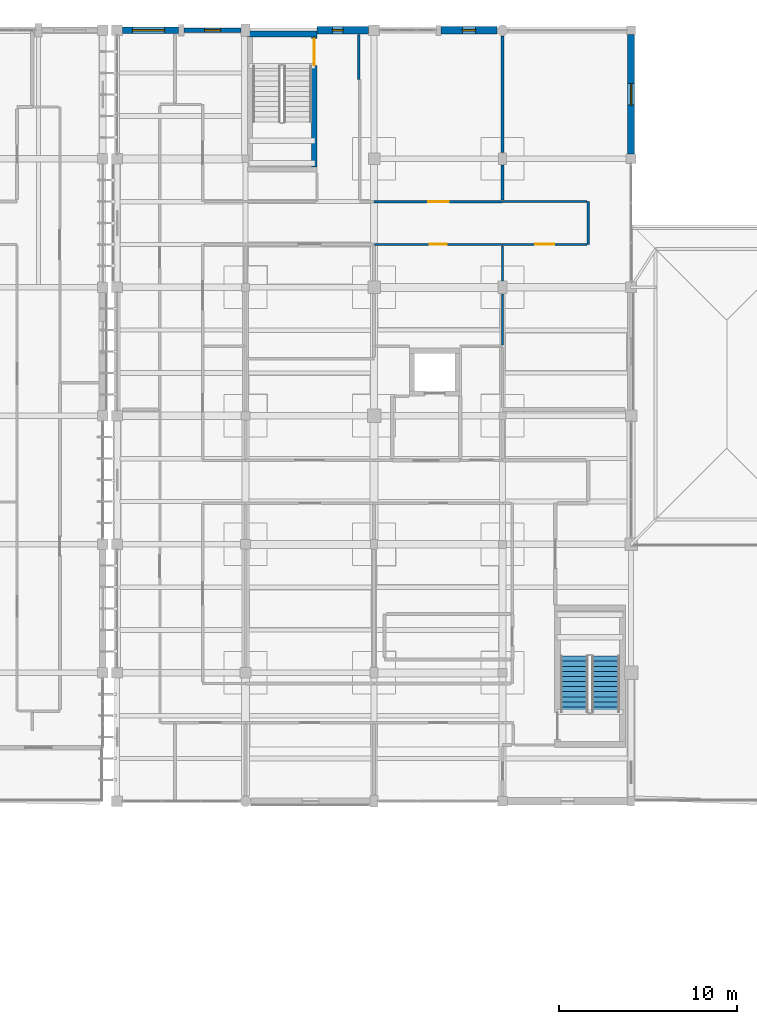
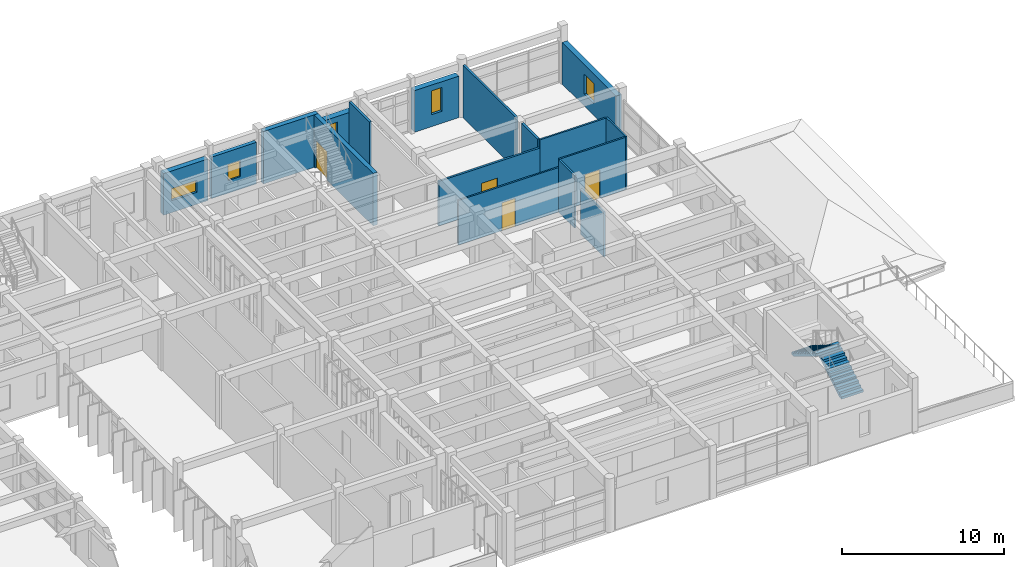
# One storey, part 43 of 55: 17 walls, 5 windows, 4 doors, 2 stair flights, 9 openings, 1 element without a shape of its own.
"""IFC4 building model written with IfcOpenShell, lengths in metres."""

from ifc_helpers import new_model, si_unit, direction, frame, frame_2d, origin, place, context, subcontext, project, spatial, polyline, rectangle, outline, extrude, material, layer, layer_set, type_object, element, fill, aggregate, save


model = new_model("IFC4")

# Units and contexts
model_context = context("Model", 3, precision=1e-05, world=origin(), true_north=direction((0.0, 1.0)))
body_context = subcontext(model_context, "Body", "Model", "MODEL_VIEW")
ifc_project = project(units=[si_unit("LENGTHUNIT", "METRE"), si_unit("AREAUNIT", "SQUARE_METRE"), si_unit("VOLUMEUNIT", "CUBIC_METRE"), si_unit("PLANEANGLEUNIT", "RADIAN"), si_unit("MASSUNIT", "GRAM", prefix="KILO")], contexts=[model_context])

# Site, building, storey
site_placement = place(None, origin())
site = spatial("IfcSite", under=ifc_project, at=site_placement, CompositionType="ELEMENT")
building_placement = place(site_placement, origin())
building = spatial("IfcBuilding", under=site, at=building_placement, Name="Steenspoor Specialist Clinic", CompositionType="ELEMENT")
storey_placement = place(building_placement, frame((0.0, 0.0, 13.199951171875)))
storey = spatial("IfcBuildingStorey", under=building, at=storey_placement, Name="L03", CompositionType="ELEMENT", Elevation=13.199951171875)

# Wall, opening, window
ifc_material_1 = material(Name="Extruded clay brick masonry", Category="masonry")
ifc_layer_1 = layer(ifc_material_1, 0.3798828125)
ifc_layer_set_1 = layer_set([ifc_layer_1], Name="Extruded clay brick masonry")
wall_type_1 = type_object("IfcWallType", Name="W-BRICK-380", PredefinedType="USERDEFINED", material=ifc_layer_set_1)
wall_1_placement = place(storey_placement, frame((118.300048828125, 108.35009765625, 0.0), z_axis=(0.0, 0.0, 1.0), x_axis=(1.0, 0.0, 0.0)))
wall_1 = element("IfcWall", 1, at=wall_1_placement, inside=storey, type_object=wall_type_1, Name="Exterior Brick Wall EW-V6-L03-0343", ObjectType="CAVITY VENEER", PredefinedType="USERDEFINED", context=body_context, shape_type="SweptSolid", body=[
    extrude(rectangle(XDim=3.14990234375, YDim=0.3798828125, at=frame_2d((1.574951171875, 0.0))), origin(), (0.0, 0.0, 1.0), 3.130126953125),
])
opening_1_placement = place(wall_1_placement, frame((0.56494140625, 0.0, 0.89990234375)))
opening_1 = element("IfcOpeningElement", 2, at=opening_1_placement, cuts=wall_1, Name="Opening WN-22", PredefinedType="OPENING", context=body_context, shape_type="SweptSolid", body=[
    extrude(rectangle(XDim=1.800048828125, YDim=0.89990234375, at=frame_2d((0.89990234375, 0.449951171875))), frame((0.0, 0.199951171875, 0.0), z_axis=(0.0, -1.0, 0.0), x_axis=(1.0, 0.0, 0.0)), (0.0, 0.0, 1.0), 0.39990234375),
])
ifc_material_2 = material(Name="Thermally broken aluminium and low-emissivity glass", Category="aluminium")
window_type_1 = type_object("IfcWindowType", Name="WN-EXT-180X090", PartitioningType="SINGLE_PANEL", PredefinedType="WINDOW", material=ifc_material_2)
window_1_placement = place(opening_1_placement, origin())
window_1 = element("IfcWindow", 3, at=window_1_placement, inside=storey, type_object=window_type_1, Name="Window 0364", OverallHeight=0.89990234375, OverallWidth=1.800048828125, PartitioningType="SINGLE_PANEL", PredefinedType="WINDOW", context=body_context, shape_type="SweptSolid", body=[
    extrude(rectangle(XDim=1.800048828125, YDim=0.89990234375, at=frame_2d((0.89990234375, 0.449951171875))), frame((0.0, 0.030029296875, 0.0), z_axis=(0.0, -1.0, 0.0), x_axis=(1.0, 0.0, 0.0)), (0.0, 0.0, 1.0), 0.06005859375),
])
fill(opening_1, window_1)

wall_2_placement = place(storey_placement, frame((146.800048828125, 108.10009765625, 0.0), z_axis=(0.0, 0.0, 1.0), x_axis=(0.0, -1.0, 0.0)))
wall_2 = element("IfcWall", 4, at=wall_2_placement, inside=storey, type_object=wall_type_1, Name="Exterior Brick Wall EW-V6-L03-0347", ObjectType="CAVITY VENEER", PredefinedType="USERDEFINED", context=body_context, shape_type="SweptSolid", body=[
    extrude(rectangle(XDim=6.675048828125, YDim=0.3798828125, at=frame_2d((3.33740234375, 0.0))), origin(), (0.0, 0.0, 1.0), 3.130126953125),
])
opening_2_placement = place(wall_2_placement, frame((2.737548828125, 0.0, 0.89990234375)))
opening_2 = element("IfcOpeningElement", 5, at=opening_2_placement, cuts=wall_2, Name="Opening WN-11", PredefinedType="OPENING", context=body_context, shape_type="SweptSolid", body=[
    extrude(rectangle(XDim=1.199951171875, YDim=1.5, at=frame_2d((0.60009765625, 0.75))), frame((0.0, 0.199951171875, 0.0), z_axis=(0.0, -1.0, 0.0), x_axis=(1.0, 0.0, 0.0)), (0.0, 0.0, 1.0), 0.39990234375),
])
window_type_2 = type_object("IfcWindowType", Name="WN-EXT-120X150", PartitioningType="SINGLE_PANEL", PredefinedType="WINDOW", material=ifc_material_2)
window_2_placement = place(opening_2_placement, origin())
window_2 = element("IfcWindow", 6, at=window_2_placement, inside=storey, type_object=window_type_2, Name="Window 0368", OverallHeight=1.5, OverallWidth=1.199951171875, PartitioningType="SINGLE_PANEL", PredefinedType="WINDOW", context=body_context, shape_type="SweptSolid", body=[
    extrude(rectangle(XDim=1.199951171875, YDim=1.5, at=frame_2d((0.60009765625, 0.75))), frame((0.0, 0.030029296875, 0.0), z_axis=(0.0, -1.0, 0.0), x_axis=(1.0, 0.0, 0.0)), (0.0, 0.0, 1.0), 0.06005859375),
])
fill(opening_2, window_2)

ifc_layer_2 = layer(ifc_material_1, 0.409912109375)
ifc_layer_set_2 = layer_set([ifc_layer_2], Name="Extruded clay brick masonry")
wall_type_2 = type_object("IfcWallType", Name="W-BRICK-410", PredefinedType="USERDEFINED", material=ifc_layer_set_2)
wall_3_placement = place(storey_placement, frame((136.139892578125, 108.35009765625, 0.0), z_axis=(0.0, 0.0, 1.0), x_axis=(1.0, 0.0, 0.0)))
wall_3 = element("IfcWall", 7, at=wall_3_placement, inside=storey, type_object=wall_type_2, Name="Exterior Brick Wall EW-V6-L03-0346", ObjectType="CAVITY VENEER", PredefinedType="USERDEFINED", context=body_context, shape_type="SweptSolid", body=[
    extrude(rectangle(XDim=3.16015625, YDim=0.409912109375, at=frame_2d((1.580078125, 0.0))), origin(), (0.0, 0.0, 1.0), 3.130126953125),
])
opening_3_placement = place(wall_3_placement, frame((1.205078125, 0.0, 0.89990234375)))
opening_3 = element("IfcOpeningElement", 8, at=opening_3_placement, cuts=wall_3, Name="Opening WN-02", PredefinedType="OPENING", context=body_context, shape_type="SweptSolid", body=[
    extrude(rectangle(XDim=0.75, YDim=1.800048828125, at=frame_2d((0.375, 0.89990234375))), frame((0.0, 0.21484375, 0.0), z_axis=(0.0, -1.0, 0.0), x_axis=(1.0, 0.0, 0.0)), (0.0, 0.0, 1.0), 0.429931640625),
])
window_type_3 = type_object("IfcWindowType", Name="WN-EXT-075X180", PartitioningType="SINGLE_PANEL", PredefinedType="WINDOW", material=ifc_material_2)
window_3_placement = place(opening_3_placement, origin())
window_3 = element("IfcWindow", 9, at=window_3_placement, inside=storey, type_object=window_type_3, Name="Window 0367", OverallHeight=1.800048828125, OverallWidth=0.75, PartitioningType="SINGLE_PANEL", PredefinedType="WINDOW", context=body_context, shape_type="SweptSolid", body=[
    extrude(rectangle(XDim=0.75, YDim=1.800048828125, at=frame_2d((0.375, 0.89990234375))), frame((0.0, 0.030029296875, 0.0), z_axis=(0.0, -1.0, 0.0), x_axis=(1.0, 0.0, 0.0)), (0.0, 0.0, 1.0), 0.06005859375),
])
fill(opening_3, window_3)

ifc_layer_3 = layer(ifc_material_1, 0.43994140625)
ifc_layer_set_3 = layer_set([ifc_layer_3], Name="Extruded clay brick masonry")
wall_type_3 = type_object("IfcWallType", Name="W-BRICK-440", PredefinedType="USERDEFINED", material=ifc_layer_set_3)
wall_4_placement = place(storey_placement, frame((129.199951171875, 108.35009765625, 0.0), z_axis=(0.0, 0.0, 1.0), x_axis=(1.0, 0.0, 0.0)))
wall_4 = element("IfcWall", 10, at=wall_4_placement, inside=storey, type_object=wall_type_3, Name="Exterior Brick Wall EW-V6-L03-0345", ObjectType="CAVITY VENEER", PredefinedType="USERDEFINED", context=body_context, shape_type="SweptSolid", body=[
    extrude(rectangle(XDim=2.900146484375, YDim=0.43994140625, at=frame_2d((1.4501953125, 0.0))), origin(), (0.0, 0.0, 1.0), 3.130126953125),
])
opening_4_placement = place(wall_4_placement, frame((0.864990234375, 0.0, 0.89990234375)))
opening_4 = element("IfcOpeningElement", 11, at=opening_4_placement, cuts=wall_4, Name="Opening WN-01", PredefinedType="OPENING", context=body_context, shape_type="SweptSolid", body=[
    extrude(rectangle(XDim=0.60009765625, YDim=1.800048828125, at=frame_2d((0.300048828125, 0.89990234375))), frame((0.0, 0.22998046875, 0.0), z_axis=(0.0, -1.0, 0.0), x_axis=(1.0, 0.0, 0.0)), (0.0, 0.0, 1.0), 0.4599609375),
])
window_type_4 = type_object("IfcWindowType", Name="WN-EXT-060X180", PartitioningType="SINGLE_PANEL", PredefinedType="WINDOW", material=ifc_material_2)
window_4_placement = place(opening_4_placement, origin())
window_4 = element("IfcWindow", 12, at=window_4_placement, inside=storey, type_object=window_type_4, Name="Window 0366", OverallHeight=1.800048828125, OverallWidth=0.60009765625, PartitioningType="SINGLE_PANEL", PredefinedType="WINDOW", context=body_context, shape_type="SweptSolid", body=[
    extrude(rectangle(XDim=0.60009765625, YDim=1.800048828125, at=frame_2d((0.300048828125, 0.89990234375))), frame((0.0, 0.030029296875, 0.0), z_axis=(0.0, -1.0, 0.0), x_axis=(1.0, 0.0, 0.0)), (0.0, 0.0, 1.0), 0.06005859375),
])
fill(opening_4, window_4)

# Wall
ifc_material_3 = material(Name="Gypsum acoustic clinical partition", Category="gypsum")
ifc_layer_4 = layer(ifc_material_3, 0.14990234375)
ifc_layer_set_4 = layer_set([ifc_layer_4], Name="Gypsum acoustic clinical partition")
wall_type_4 = type_object("IfcWallType", Name="W-CLIN-150", PredefinedType="PARTITIONING", material=ifc_layer_set_4)
wall_5_placement = place(storey_placement, frame((131.550048828125, 105.60009765625, 0.0), z_axis=(0.0, 0.0, 1.0), x_axis=(0.0, 1.0, 0.0)))
element("IfcWall", 13, at=wall_5_placement, inside=storey, type_object=wall_type_4, Name="Interior Partition IW-V6-L03-1629", PredefinedType="PARTITIONING", context=body_context, shape_type="SweptSolid", body=[
    extrude(rectangle(XDim=2.514892578125, YDim=0.14990234375, at=frame_2d((1.25732421875, 0.0))), origin(), (0.0, 0.0, 1.0), 3.949951171875),
])

# Wall, opening, door
wall_6_placement = place(storey_placement, frame((132.39990234375, 98.75, 0.0), z_axis=(0.0, 0.0, 1.0), x_axis=(1.0, 0.0, 0.0)))
wall_6 = element("IfcWall", 14, at=wall_6_placement, inside=storey, type_object=wall_type_4, Name="Interior Partition IW-V6-L03-1630", PredefinedType="PARTITIONING", context=body_context, shape_type="SweptSolid", body=[
    extrude(rectangle(XDim=7.2001953125, YDim=0.14990234375, at=frame_2d((3.60009765625, 0.0))), origin(), (0.0, 0.0, 1.0), 3.35498046875),
])
opening_5_placement = place(wall_6_placement, frame((3.02490234375, 0.0, 0.0)))
opening_5 = element("IfcOpeningElement", 15, at=opening_5_placement, cuts=wall_6, Name="Opening D0501", PredefinedType="OPENING", context=body_context, shape_type="SweptSolid", body=[
    extrude(rectangle(XDim=1.14990234375, YDim=2.14990234375, at=frame_2d((0.574951171875, 1.074951171875))), frame((0.0, 0.0849609375, 0.0), z_axis=(0.0, -1.0, 0.0), x_axis=(1.0, 0.0, 0.0)), (0.0, 0.0, 1.0), 0.169921875),
])
ifc_material_4 = material(Name="Solid-core hardwood clinical door", Category="wood")
door_type_1 = type_object("IfcDoorType", Name="DT-CONS-115X215", OperationType="NOTDEFINED", PredefinedType="DOOR", material=ifc_material_4)
door_1_placement = place(opening_5_placement, origin())
door_1 = element("IfcDoor", 16, at=door_1_placement, inside=storey, type_object=door_type_1, Name="Clinical Door D0501", OperationType="SINGLE_SWING_RIGHT", OverallHeight=2.14990234375, OverallWidth=1.14990234375, PredefinedType="DOOR", context=body_context, shape_type="SweptSolid", body=[
    extrude(rectangle(XDim=1.14990234375, YDim=2.14990234375, at=frame_2d((0.574951171875, 1.074951171875))), frame((0.0, 0.02490234375, 0.0), z_axis=(0.0, -1.0, 0.0), x_axis=(1.0, 0.0, 0.0)), (0.0, 0.0, 1.0), 0.050048828125),
])
fill(opening_5, door_1)

# Walls
wall_7_placement = place(storey_placement, frame((139.60009765625, 98.840087890625, 0.0), z_axis=(0.0, 0.0, 1.0), x_axis=(0.0, 1.0, 0.0)))
element("IfcWall", 17, at=wall_7_placement, inside=storey, type_object=wall_type_4, Name="Interior Partition IW-V6-L03-1771", PredefinedType="PARTITIONING", context=body_context, shape_type="SweptSolid", body=[
    extrude(rectangle(XDim=1.969970703125, YDim=0.14990234375, at=frame_2d((0.98486328125, 0.0))), origin(), (0.0, 0.0, 1.0), 3.949951171875),
])
wall_8_placement = place(storey_placement, frame((139.60009765625, 101.489990234375, 0.0), z_axis=(0.0, 0.0, 1.0), x_axis=(0.0, 1.0, 0.0)))
element("IfcWall", 18, at=wall_8_placement, inside=storey, type_object=wall_type_4, Name="Interior Partition IW-V6-L03-1772", PredefinedType="PARTITIONING", context=body_context, shape_type="SweptSolid", body=[
    extrude(rectangle(XDim=6.544921875, YDim=0.14990234375, at=frame_2d((3.2724609375, 0.0))), origin(), (0.0, 0.0, 1.0), 3.949951171875),
])
ifc_material_5 = material(Name="Concrete C40/50", Category="concrete")
ifc_layer_5 = layer(ifc_material_5, 0.330078125)
ifc_layer_set_5 = layer_set([ifc_layer_5], Name="Concrete C40/50")
wall_type_5 = type_object("IfcWallType", Name="W-ESW-330", PredefinedType="SHEAR", material=ifc_layer_set_5)
wall_9_placement = place(storey_placement, frame((125.300048828125, 108.14990234375, 0.0), z_axis=(0.0, 0.0, 1.0), x_axis=(1.0, 0.0, 0.0)))
element("IfcWall", 19, at=wall_9_placement, inside=storey, type_object=wall_type_5, Name="Core Shear Wall SW-ST-V6A-L03-N", PredefinedType="SHEAR", context=body_context, shape_type="SweptSolid", body=[
    extrude(rectangle(XDim=3.89990234375, YDim=0.330078125, at=frame_2d((1.949951171875, 0.0))), origin(), (0.0, 0.0, 1.0), 3.949951171875),
])
ifc_material_6 = material(Name="Gypsum studio partition board", Category="gypsum")
ifc_layer_6 = layer(ifc_material_6, 0.1201171875)
ifc_layer_set_6 = layer_set([ifc_layer_6], Name="Gypsum studio partition board")
wall_type_6 = type_object("IfcWallType", Name="W-PART-120", PredefinedType="PARTITIONING", material=ifc_layer_set_6)
wall_10_placement = place(storey_placement, frame((144.39990234375, 96.35009765625, 0.0), z_axis=(0.0, 0.0, 1.0), x_axis=(0.0, 1.0, 0.0)))
element("IfcWall", 20, at=wall_10_placement, inside=storey, type_object=wall_type_6, Name="Interior Partition IW-V6-L03-1690", PredefinedType="PARTITIONING", context=body_context, shape_type="SweptSolid", body=[
    extrude(rectangle(XDim=2.39990234375, YDim=0.1201171875, at=frame_2d((1.199951171875, 0.0))), origin(), (0.0, 0.0, 1.0), 3.949951171875),
])
wall_11_placement = place(storey_placement, frame((139.614990234375, 98.75, 0.0), z_axis=(0.0, 0.0, 1.0), x_axis=(1.0, 0.0, 0.0)))
element("IfcWall", 21, at=wall_11_placement, inside=storey, type_object=wall_type_6, Name="Interior Partition IW-V6-L03-1691", PredefinedType="PARTITIONING", context=body_context, shape_type="SweptSolid", body=[
    extrude(rectangle(XDim=4.7099609375, YDim=0.1201171875, at=frame_2d((2.35498046875, 0.0))), origin(), (0.0, 0.0, 1.0), 3.949951171875),
])

# Wall, opening, door
wall_12_placement = place(storey_placement, frame((139.60009765625, 96.35009765625, 0.0), z_axis=(0.0, 0.0, 1.0), x_axis=(1.0, 0.0, 0.0)))
wall_12 = element("IfcWall", 22, at=wall_12_placement, inside=storey, type_object=wall_type_6, Name="Interior Partition IW-V6-L03-1692", PredefinedType="PARTITIONING", context=body_context, shape_type="SweptSolid", body=[
    extrude(rectangle(XDim=4.724853515625, YDim=0.1201171875, at=frame_2d((2.3623046875, 0.0))), origin(), (0.0, 0.0, 1.0), 3.949951171875),
])
opening_6_placement = place(wall_12_placement, frame((1.83740234375, 0.0, 0.0)))
opening_6 = element("IfcOpeningElement", 23, at=opening_6_placement, cuts=wall_12, Name="Opening D0496", PredefinedType="OPENING", context=body_context, shape_type="SweptSolid", body=[
    extrude(rectangle(XDim=1.050048828125, YDim=2.14990234375, at=frame_2d((0.52490234375, 1.074951171875))), frame((0.0, 0.070068359375, 0.0), z_axis=(0.0, -1.0, 0.0), x_axis=(1.0, 0.0, 0.0)), (0.0, 0.0, 1.0), 0.14013671875),
])
ifc_material_7 = material(Name="Solid-core hardwood office door", Category="wood")
door_type_2 = type_object("IfcDoorType", Name="DT-OFF-105X215", OperationType="NOTDEFINED", PredefinedType="DOOR", material=ifc_material_7)
door_2_placement = place(opening_6_placement, origin())
door_2 = element("IfcDoor", 24, at=door_2_placement, inside=storey, type_object=door_type_2, Name="Clinical Door D0496", OperationType="SINGLE_SWING_LEFT", OverallHeight=2.14990234375, OverallWidth=1.050048828125, PredefinedType="DOOR", context=body_context, shape_type="SweptSolid", body=[
    extrude(rectangle(XDim=1.050048828125, YDim=2.14990234375, at=frame_2d((0.52490234375, 1.074951171875))), frame((0.0, 0.02490234375, 0.0), z_axis=(0.0, -1.0, 0.0), x_axis=(1.0, 0.0, 0.0)), (0.0, 0.0, 1.0), 0.050048828125),
])
fill(opening_6, door_2)

wall_13_placement = place(storey_placement, frame((132.4150390625, 96.35009765625, 0.0), z_axis=(0.0, 0.0, 1.0), x_axis=(1.0, 0.0, 0.0)))
wall_13 = element("IfcWall", 25, at=wall_13_placement, inside=storey, type_object=wall_type_6, Name="Interior Partition IW-V6-L03-1693", PredefinedType="PARTITIONING", context=body_context, shape_type="SweptSolid", body=[
    extrude(rectangle(XDim=7.169921875, YDim=0.1201171875, at=frame_2d((3.5849609375, 0.0))), origin(), (0.0, 0.0, 1.0), 3.35498046875),
])
opening_7_placement = place(wall_13_placement, frame((3.110107421875, 0.0, 0.0)))
opening_7 = element("IfcOpeningElement", 26, at=opening_7_placement, cuts=wall_13, Name="Opening D0498", PredefinedType="OPENING", context=body_context, shape_type="SweptSolid", body=[
    extrude(rectangle(XDim=0.949951171875, YDim=2.10009765625, at=frame_2d((0.47509765625, 1.050048828125))), frame((0.0, 0.070068359375, 0.0), z_axis=(0.0, -1.0, 0.0), x_axis=(1.0, 0.0, 0.0)), (0.0, 0.0, 1.0), 0.14013671875),
])
ifc_material_8 = material(Name="Moisture-resistant HPL sanitary door", Category="wood")
door_type_3 = type_object("IfcDoorType", Name="DT-WC-095X210", OperationType="NOTDEFINED", PredefinedType="DOOR", material=ifc_material_8)
door_3_placement = place(opening_7_placement, origin())
door_3 = element("IfcDoor", 27, at=door_3_placement, inside=storey, type_object=door_type_3, Name="Clinical Door D0498", OperationType="SINGLE_SWING_LEFT", OverallHeight=2.10009765625, OverallWidth=0.949951171875, PredefinedType="DOOR", context=body_context, shape_type="SweptSolid", body=[
    extrude(rectangle(XDim=0.949951171875, YDim=2.10009765625, at=frame_2d((0.47509765625, 1.050048828125))), frame((0.0, 0.02490234375, 0.0), z_axis=(0.0, -1.0, 0.0), x_axis=(1.0, 0.0, 0.0)), (0.0, 0.0, 1.0), 0.050048828125),
])
fill(opening_7, door_3)

# Walls
wall_14_placement = place(storey_placement, frame((139.60009765625, 90.72509765625, 0.0), z_axis=(0.0, 0.0, 1.0), x_axis=(0.0, 1.0, 0.0)))
element("IfcWall", 28, at=wall_14_placement, inside=storey, type_object=wall_type_6, Name="Interior Partition IW-V6-L03-1784", PredefinedType="PARTITIONING", context=body_context, shape_type="SweptSolid", body=[
    extrude(rectangle(XDim=2.85986328125, YDim=0.1201171875, at=frame_2d((1.429931640625, 0.0))), origin(), (0.0, 0.0, 1.0), 3.385009765625),
])
wall_15_placement = place(storey_placement, frame((139.60009765625, 94.31494140625, 0.0), z_axis=(0.0, 0.0, 1.0), x_axis=(0.0, 1.0, 0.0)))
element("IfcWall", 29, at=wall_15_placement, inside=storey, type_object=wall_type_6, Name="Interior Partition IW-V6-L03-1785", PredefinedType="PARTITIONING", context=body_context, shape_type="SweptSolid", body=[
    extrude(rectangle(XDim=1.9599609375, YDim=0.1201171875, at=frame_2d((0.97998046875, 0.0))), origin(), (0.0, 0.0, 1.0), 3.949951171875),
])

# Wall, opening, window
ifc_layer_7 = layer(ifc_material_1, 0.260009765625)
ifc_layer_set_7 = layer_set([ifc_layer_7], Name="Extruded clay brick masonry")
wall_type_7 = type_object("IfcWallType", Name="W-SCREEN-260", PredefinedType="SOLIDWALL", material=ifc_layer_set_7)
wall_16_placement = place(storey_placement, frame((121.75, 108.35009765625, 0.0), z_axis=(0.0, 0.0, 1.0), x_axis=(1.0, 0.0, 0.0)))
wall_16 = element("IfcWall", 30, at=wall_16_placement, inside=storey, type_object=wall_type_7, Name="Exterior Brick Wall EW-V6-L03-0344", PredefinedType="SOLIDWALL", context=body_context, shape_type="SweptSolid", body=[
    extrude(rectangle(XDim=3.199951171875, YDim=0.260009765625, at=frame_2d((1.60009765625, 0.0))), origin(), (0.0, 0.0, 1.0), 3.130126953125),
])
opening_8_placement = place(wall_16_placement, frame((1.14990234375, 0.0, 0.949951171875)))
opening_8 = element("IfcOpeningElement", 31, at=opening_8_placement, cuts=wall_16, Name="Opening WN-21", PredefinedType="OPENING", context=body_context, shape_type="SweptSolid", body=[
    extrude(rectangle(XDim=0.89990234375, YDim=1.199951171875, at=frame_2d((0.449951171875, 0.60009765625))), frame((0.0, 0.14013671875, 0.0), z_axis=(0.0, -1.0, 0.0), x_axis=(1.0, 0.0, 0.0)), (0.0, 0.0, 1.0), 0.280029296875),
])
window_type_5 = type_object("IfcWindowType", Name="WN-EXT-090X120", PartitioningType="SINGLE_PANEL", PredefinedType="WINDOW", material=ifc_material_2)
window_5_placement = place(opening_8_placement, origin())
window_5 = element("IfcWindow", 32, at=window_5_placement, inside=storey, type_object=window_type_5, Name="Window 0365", OverallHeight=1.199951171875, OverallWidth=0.89990234375, PartitioningType="SINGLE_PANEL", PredefinedType="WINDOW", context=body_context, shape_type="SweptSolid", body=[
    extrude(rectangle(XDim=0.89990234375, YDim=1.199951171875, at=frame_2d((0.449951171875, 0.60009765625))), frame((0.0, 0.030029296875, 0.0), z_axis=(0.0, -1.0, 0.0), x_axis=(1.0, 0.0, 0.0)), (0.0, 0.0, 1.0), 0.06005859375),
])
fill(opening_8, window_5)

# Wall, opening, door
ifc_layer_8 = layer(ifc_material_5, 0.300048828125)
ifc_layer_set_8 = layer_set([ifc_layer_8], Name="Concrete C40/50")
wall_type_8 = type_object("IfcWallType", Name="W-SW-300", PredefinedType="SHEAR", material=ifc_layer_set_8)
wall_17_placement = place(storey_placement, frame((129.050048828125, 100.699951171875, 0.0), z_axis=(0.0, 0.0, 1.0), x_axis=(0.0, 1.0, 0.0)))
wall_17 = element("IfcWall", 33, at=wall_17_placement, inside=storey, type_object=wall_type_8, Name="Core Shear Wall SW-ST-V6A-L03-E", PredefinedType="SHEAR", context=body_context, shape_type="SweptSolid", body=[
    extrude(rectangle(XDim=7.300048828125, YDim=0.300048828125, at=frame_2d((3.64990234375, 0.0))), origin(), (0.0, 0.0, 1.0), 3.949951171875),
])
opening_9_placement = place(wall_17_placement, frame((5.679931640625, 0.0, 0.0)))
opening_9 = element("IfcOpeningElement", 34, at=opening_9_placement, cuts=wall_17, Name="Opening SD038", PredefinedType="OPENING", context=body_context, shape_type="SweptSolid", body=[
    extrude(rectangle(XDim=1.5, YDim=2.14990234375, at=frame_2d((0.75, 1.074951171875))), frame((0.0, 0.16015625, 0.0), z_axis=(0.0, -1.0, 0.0), x_axis=(1.0, 0.0, 0.0)), (0.0, 0.0, 1.0), 0.320068359375),
])
ifc_material_9 = material(Name="Fire-rated steel acoustic door", Category="steel")
door_type_4 = type_object("IfcDoorType", Name="DT-STAIR-150X215", OperationType="NOTDEFINED", PredefinedType="DOOR", material=ifc_material_9)
door_4_placement = place(opening_9_placement, origin())
door_4 = element("IfcDoor", 35, at=door_4_placement, inside=storey, type_object=door_type_4, Name="Exit Stair Fire Door SD038", OperationType="SINGLE_SWING_LEFT", OverallHeight=2.14990234375, OverallWidth=1.5, PredefinedType="DOOR", context=body_context, shape_type="SweptSolid", body=[
    extrude(rectangle(XDim=1.5, YDim=2.14990234375, at=frame_2d((0.75, 1.074951171875))), frame((0.0, 0.02490234375, 0.0), z_axis=(0.0, -1.0, 0.0), x_axis=(1.0, 0.0, 0.0)), (0.0, 0.0, 1.0), 0.050048828125),
])
fill(opening_9, door_4)

# Stair, stair flights
ifc_material_10 = material(Name="Concrete C35/45", Category="concrete")
stair_type = type_object("IfcStairType", Name="ST-CORE-TYP", PredefinedType="HALF_TURN_STAIR", material=ifc_material_10)
stair_placement = place(storey_placement, origin())
stair = element("IfcStair", 36, at=stair_placement, inside=storey, type_object=stair_type, Name="L03 Enclosed Exit Stair ST-V6B", PredefinedType="HALF_TURN_STAIR")
stair_flight_type = type_object("IfcStairFlightType", Name="FL-CORE-TYP", PredefinedType="STRAIGHT", material=ifc_material_10)
stair_flight_1_placement = place(storey_placement, frame((145.375, 70.14990234375, 0.0), z_axis=(0.0, 0.0, 1.0), x_axis=(0.0, 1.0, 0.0)))
stair_flight_1 = element("IfcStairFlight", 37, at=stair_flight_1_placement, type_object=stair_flight_type, Name="ST-V6B flight 1", NumberOfRisers=12, NumberOfTreads=11, PredefinedType="STRAIGHT", RiserHeight=0.175, TreadLength=0.285, context=body_context, shape_type="SweptSolid", body=[
    extrude(outline(polyline([(0.0, 0.0), (0.0, 0.175048828125), (0.284912109375, 0.175048828125), (0.284912109375, 0.35009765625), (0.570068359375, 0.35009765625), (0.570068359375, 0.52490234375), (0.85498046875, 0.52490234375), (0.85498046875, 0.699951171875), (1.139892578125, 0.699951171875), (1.139892578125, 0.875), (1.425048828125, 0.875), (1.425048828125, 1.050048828125), (1.7099609375, 1.050048828125), (1.7099609375, 1.22509765625), (1.9951171875, 1.22509765625), (1.9951171875, 1.39990234375), (2.280029296875, 1.39990234375), (2.280029296875, 1.574951171875), (2.56494140625, 1.574951171875), (2.56494140625, 1.75), (2.85009765625, 1.75), (2.85009765625, 1.925048828125), (3.135009765625, 1.925048828125), (3.135009765625, 2.10009765625), (3.135009765625, 1.7373046875), (0.3056640625, 0.0), (0.0, 0.0)])), frame((0.0, 0.77490234375, 0.0), z_axis=(0.0, -1.0, 0.0), x_axis=(1.0, 0.0, 0.0)), (0.0, 0.0, 1.0), 1.550048828125),
])
stair_flight_2_placement = place(storey_placement, frame((143.625, 73.284912109375, 2.10009765625), z_axis=(0.0, 0.0, 1.0), x_axis=(0.0, -1.0, 0.0)))
stair_flight_2 = element("IfcStairFlight", 38, at=stair_flight_2_placement, type_object=stair_flight_type, Name="ST-V6B flight 2", NumberOfRisers=12, NumberOfTreads=11, PredefinedType="STRAIGHT", RiserHeight=0.175, TreadLength=0.285, context=body_context, shape_type="SweptSolid", body=[
    extrude(outline(polyline([(0.0, 0.0), (0.0, 0.175048828125), (0.284912109375, 0.175048828125), (0.284912109375, 0.35009765625), (0.570068359375, 0.35009765625), (0.570068359375, 0.52490234375), (0.85498046875, 0.52490234375), (0.85498046875, 0.699951171875), (1.139892578125, 0.699951171875), (1.139892578125, 0.875), (1.425048828125, 0.875), (1.425048828125, 1.050048828125), (1.7099609375, 1.050048828125), (1.7099609375, 1.22509765625), (1.9951171875, 1.22509765625), (1.9951171875, 1.39990234375), (2.280029296875, 1.39990234375), (2.280029296875, 1.574951171875), (2.56494140625, 1.574951171875), (2.56494140625, 1.75), (2.85009765625, 1.75), (2.85009765625, 1.925048828125), (3.135009765625, 1.925048828125), (3.135009765625, 2.10009765625), (3.135009765625, 1.7373046875), (0.3056640625, 0.0), (0.0, 0.0)])), frame((0.0, 0.77490234375, 0.0), z_axis=(0.0, -1.0, 0.0), x_axis=(1.0, 0.0, 0.0)), (0.0, 0.0, 1.0), 1.550048828125),
])
aggregate(stair, [stair_flight_1, stair_flight_2])

save(model, "model.ifc")
